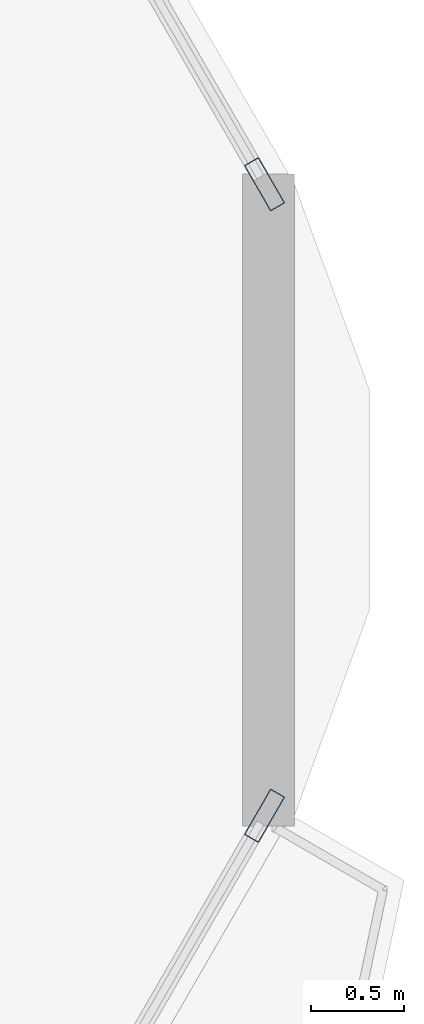
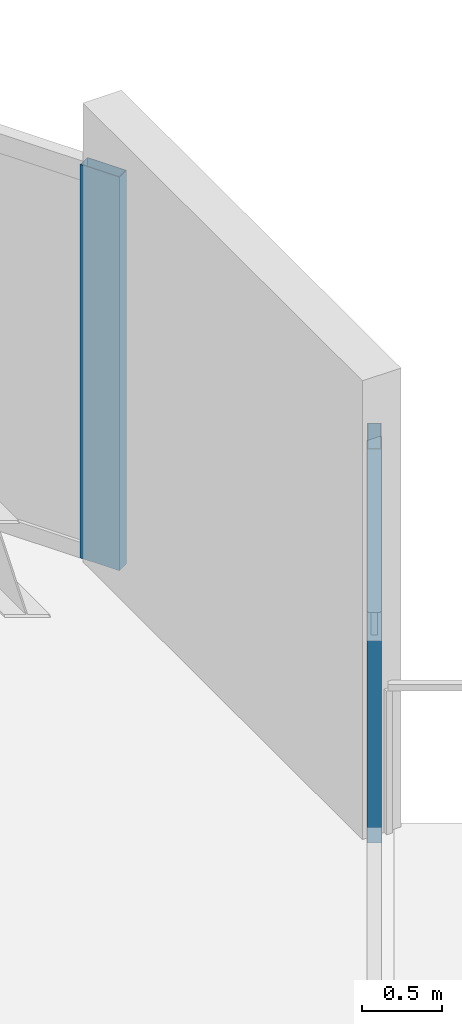
# One storey, part 24 of 33: 2 members, 2 elements without a shape of their own.
"""IFC4 building model written with IfcOpenShell, lengths in metres."""

from ifc_helpers import new_model, si_unit, direction, frame, origin, origin_2d, place, context, subcontext, project, spatial, hollow_rectangle, extrude, material, material_profile, profile_set, type_object, element, aggregate, save


model = new_model("IFC4")

# Units and contexts
model_context = context("Model", 3, precision=1e-05, world=origin(), true_north=direction((0.0, 1.0)))
body_context = subcontext(model_context, "Body", "Model", "MODEL_VIEW")
ifc_project = project(units=[si_unit("LENGTHUNIT", "METRE"), si_unit("AREAUNIT", "SQUARE_METRE"), si_unit("VOLUMEUNIT", "CUBIC_METRE"), si_unit("PLANEANGLEUNIT", "RADIAN"), si_unit("MASSUNIT", "GRAM", prefix="KILO")], contexts=[model_context])

# Site, building, storey
site_placement = place(None, origin())
site = spatial("IfcSite", under=ifc_project, at=site_placement, CompositionType="ELEMENT")
building_placement = place(site_placement, origin())
building = spatial("IfcBuilding", under=site, at=building_placement, Name="Zuhravey Tower", CompositionType="ELEMENT")
storey_placement = place(building_placement, frame((0.0, 0.0, 141.800048828125)))
storey = spatial("IfcBuildingStorey", under=building, at=storey_placement, Name="L35", CompositionType="ELEMENT", Elevation=141.800048828125)

# Curtain wall, member
ifc_material_1 = material(Name="Thermally broken anodised aluminium", Category="aluminium")
curtain_wall_type = type_object("IfcCurtainWallType", Name="Zone 1-2 Residential Curtain Wall CW3", PredefinedType="NOTDEFINED", material=ifc_material_1)
curtain_wall_1_placement = place(storey_placement, origin())
curtain_wall_1 = element("IfcCurtainWall", 1, at=curtain_wall_1_placement, inside=storey, type_object=curtain_wall_type, Name="L35 CW3 CW-L35-F6-1", PredefinedType="NOTDEFINED")
ifc_material_2 = material(Name="Anodised aluminium", Category="aluminium")
ifc_material_profile = material_profile(ifc_material_2, hollow_rectangle(XDim=0.090087890625, YDim=0.284912109375, WallThickness=0.0048828125, at=origin_2d()), Name="ALU-RHS-90x285x5")
ifc_profile_set = profile_set([ifc_material_profile], Name="Anodised aluminium")
member_type = type_object("IfcMemberType", Name="Curtain-Wall Mullion 90x180", PredefinedType="MULLION", material=ifc_profile_set)
member_1_placement = place(storey_placement, frame((68.4560546875, 30.298583984375, 0.0), z_axis=(0.0, 0.0, 1.0), x_axis=(0.866026792339, -0.499997594945, 0.0)))
member_1 = element("IfcMember", 2, at=member_1_placement, type_object=member_type, Name="CW3 mullion 1", PredefinedType="MULLION", context=body_context, shape_type="SweptSolid", body=[
    extrude(hollow_rectangle(XDim=0.090087890625, YDim=0.284912109375, WallThickness=0.0048828125, at=origin_2d()), origin(), (0.0, 0.0, 1.0), 3.02001953125),
])
aggregate(curtain_wall_1, [member_1])

curtain_wall_2_placement = place(storey_placement, origin())
curtain_wall_2 = element("IfcCurtainWall", 3, at=curtain_wall_2_placement, inside=storey, type_object=curtain_wall_type, Name="L35 CW3 CW-L35-F1-1", PredefinedType="NOTDEFINED")
member_2_placement = place(storey_placement, frame((68.4560546875, 33.701416015625, 0.0), z_axis=(0.0, 0.0, 1.0), x_axis=(0.86602552265, 0.499999794119, 0.0)))
member_2 = element("IfcMember", 4, at=member_2_placement, type_object=member_type, Name="CW3 mullion 6", PredefinedType="MULLION", context=body_context, shape_type="SweptSolid", body=[
    extrude(hollow_rectangle(XDim=0.090087890625, YDim=0.284912109375, WallThickness=0.0048828125, at=origin_2d()), origin(), (0.0, 0.0, 1.0), 3.02001953125),
])
aggregate(curtain_wall_2, [member_2])

save(model, "model.ifc")
